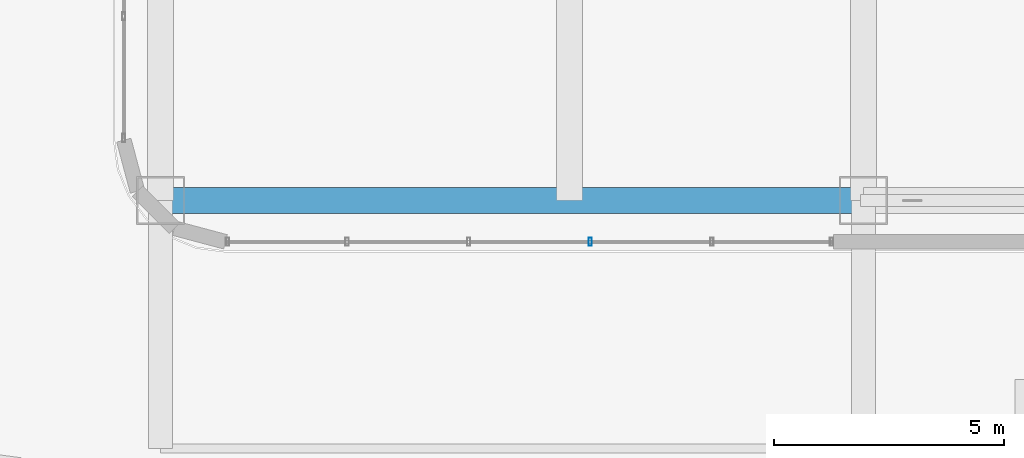
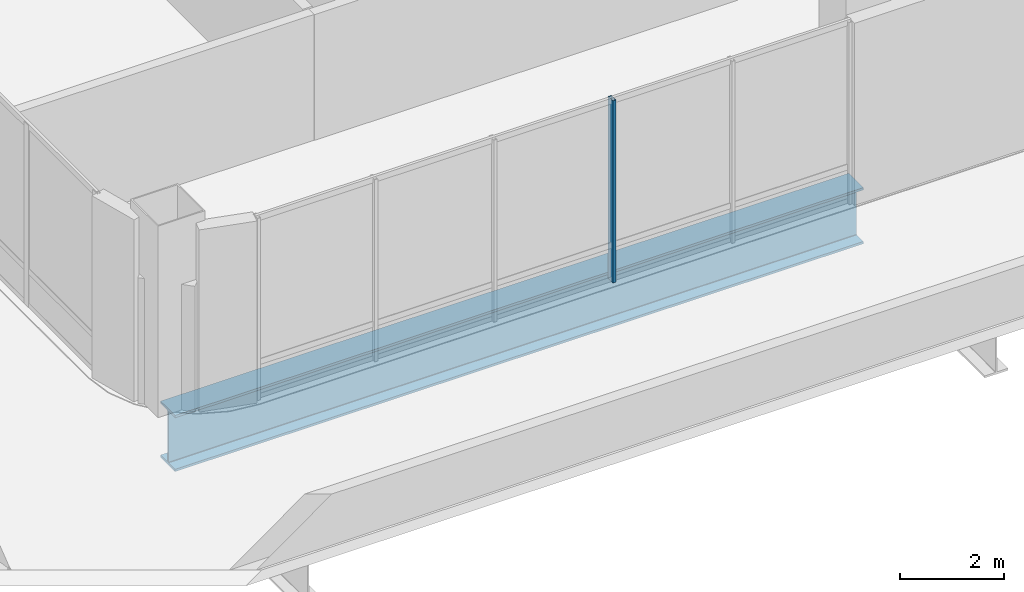
# One storey, part 3 of 33: 1 beam, 1 member, 1 element without a shape of its own.
"""IFC4 building model written with IfcOpenShell, lengths in metres."""

from ifc_helpers import new_model, si_unit, direction, frame, origin, origin_2d, place, context, subcontext, project, spatial, hollow_rectangle, i_section, extrude, material, material_profile, profile_set, type_object, element, aggregate, save


model = new_model("IFC4")

# Units and contexts
model_context = context("Model", 3, precision=1e-05, world=origin(), true_north=direction((0.0, 1.0)))
body_context = subcontext(model_context, "Body", "Model", "MODEL_VIEW")
ifc_project = project(units=[si_unit("LENGTHUNIT", "METRE"), si_unit("AREAUNIT", "SQUARE_METRE"), si_unit("VOLUMEUNIT", "CUBIC_METRE"), si_unit("PLANEANGLEUNIT", "RADIAN"), si_unit("MASSUNIT", "GRAM", prefix="KILO")], contexts=[model_context])

# Site, building, storey
site_placement = place(None, origin())
site = spatial("IfcSite", under=ifc_project, at=site_placement, CompositionType="ELEMENT")
building_placement = place(site_placement, origin())
building = spatial("IfcBuilding", under=site, at=building_placement, Name="Punatoya Terracotta Tower", CompositionType="ELEMENT")
storey_placement = place(building_placement, frame((0.0, 0.0, 343.800048828125)))
storey = spatial("IfcBuildingStorey", under=building, at=storey_placement, Name="L81", CompositionType="ELEMENT", Elevation=343.800048828125)

# Beam
ifc_material_1 = material(Name="Steel S460", Category="steel")
ifc_material_profile_1 = material_profile(ifc_material_1, i_section(OverallWidth=0.56005859375, OverallDepth=1.320068359375, WebThickness=0.035888671875, FlangeThickness=0.054931640625, FilletRadius=0.01806640625, at=origin_2d()))
ifc_profile_set_1 = profile_set([ifc_material_profile_1], Name="Steel S460")
beam_type = type_object("IfcBeamType", Name="BM-TG-BLK", PredefinedType="BEAM", material=ifc_profile_set_1)
beam_placement = place(storey_placement, frame((-19.10009765625, -17.5, -0.93994140625), z_axis=(1.0, 0.0, 0.0), x_axis=(0.0, 1.0, 0.0)))
element("IfcBeam", 1, at=beam_placement, inside=storey, type_object=beam_type, Name="BM-L81-RG-S1", PredefinedType="BEAM", context=body_context, shape_type="SweptSolid", body=[
    extrude(i_section(OverallWidth=0.56005859375, OverallDepth=1.320068359375, WebThickness=0.035888671875, FlangeThickness=0.054931640625, FilletRadius=0.01806640625, at=origin_2d()), origin(), (0.0, 0.0, 1.0), 15.300048828125),
])

# Curtain wall, member
ifc_material_2 = material(Name="Aluminium 6063-T6 + Double Low-E Glass", Category="aluminium")
curtain_wall_type = type_object("IfcCurtainWallType", Name="CW-CRN", PredefinedType="NOTDEFINED", material=ifc_material_2)
curtain_wall_placement = place(storey_placement, origin())
curtain_wall = element("IfcCurtainWall", 2, at=curtain_wall_placement, inside=storey, type_object=curtain_wall_type, Name="L81 Curtain Wall CW-L81-S01-1", PredefinedType="NOTDEFINED")
ifc_material_3 = material(Name="Aluminium 6063-T6", Category="aluminium")
ifc_material_profile_2 = material_profile(ifc_material_3, hollow_rectangle(XDim=0.070068359375, YDim=0.179931640625, WallThickness=0.00390625, at=origin_2d()))
ifc_profile_set_2 = profile_set([ifc_material_profile_2], Name="Aluminium 6063-T6")
member_type = type_object("IfcMemberType", Name="CW-MUL-M3", PredefinedType="MULLION", material=ifc_profile_set_2)
member_placement = place(storey_placement, frame((-9.744873046875, -18.39990234375, 0.0), z_axis=(0.0, 0.0, 1.0), x_axis=(1.0, 0.0, 0.0)))
member = element("IfcMember", 3, at=member_placement, type_object=member_type, Name="CW-L81-S01-1 Mullion 03", PredefinedType="MULLION", context=body_context, shape_type="SweptSolid", body=[
    extrude(hollow_rectangle(XDim=0.070068359375, YDim=0.179931640625, WallThickness=0.00390625, at=origin_2d()), origin(), (0.0, 0.0, 1.0), 4.280029296875),
])
aggregate(curtain_wall, [member])

save(model, "model.ifc")
